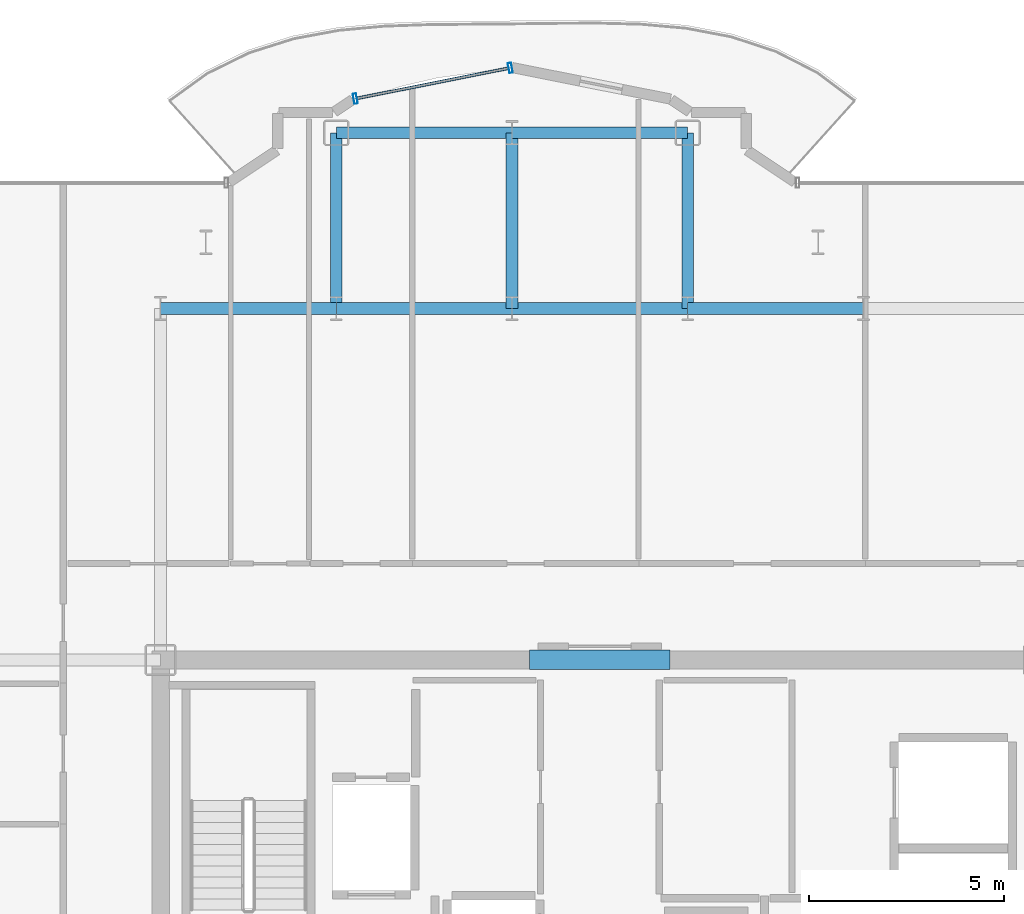
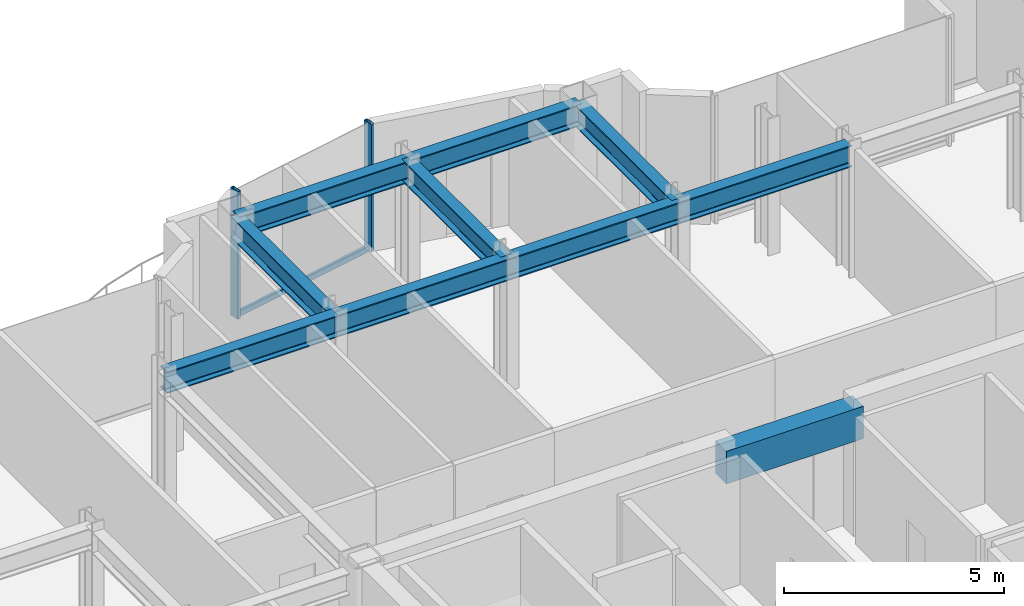
# One storey, part 8 of 16: 10 beams, 3 members, 1 element without a shape of its own.
"""IFC4 building model written with IfcOpenShell, lengths in metres."""

from ifc_helpers import new_model, si_unit, direction, frame, origin, origin_2d, place, context, subcontext, project, spatial, rectangle, hollow_rectangle, i_section, extrude, source, transform, mapped, material, layer, layer_set, material_profile, profile_set, type_object, element, aggregate, save


model = new_model("IFC4")

# Units and contexts
model_context = context("Model", 3, precision=1e-05, world=origin(), true_north=direction((0.0, 1.0)))
body_context = subcontext(model_context, "Body", "Model", "MODEL_VIEW")
ifc_project = project(units=[si_unit("LENGTHUNIT", "METRE"), si_unit("AREAUNIT", "SQUARE_METRE"), si_unit("VOLUMEUNIT", "CUBIC_METRE"), si_unit("PLANEANGLEUNIT", "RADIAN"), si_unit("MASSUNIT", "GRAM", prefix="KILO")], contexts=[model_context])

# Site, building, storey
site_placement = place(None, origin())
site = spatial("IfcSite", under=ifc_project, at=site_placement, CompositionType="ELEMENT")
building_placement = place(site_placement, origin())
building = spatial("IfcBuilding", under=site, at=building_placement, Name="Nefas-Gora Pilgrimage Tower", CompositionType="ELEMENT")
storey_placement = place(building_placement, frame((0.0, 0.0, 276.0)))
storey = spatial("IfcBuildingStorey", under=building, at=storey_placement, Name="L69", CompositionType="ELEMENT", Elevation=276.0)

# Beams
ifc_material_1 = material(Name="Concrete C50/60", Category="concrete")
ifc_material_profile_1 = material_profile(ifc_material_1, rectangle(XDim=0.5, YDim=0.89990234375, at=origin_2d()), Name="RC 500x900")
ifc_profile_set_1 = profile_set([ifc_material_profile_1], Name="Concrete C50/60")
beam_type_1 = type_object("IfcBeamType", Name="BM-LIN-RC900", PredefinedType="LINTEL", material=ifc_profile_set_1)
shared_shape_1 = source(origin(), body_context, "Body", "SweptSolid", [
    extrude(rectangle(XDim=0.5, YDim=0.89990234375, at=origin_2d()), origin(), (0.0, 0.0, 1.0), 3.60009765625),
])
beam_placement = place(storey_placement, frame((-1.800048828125, 9.0, 3.10009765625), z_axis=(1.0, 0.0, 0.0), x_axis=(0.0, 1.0, 0.0)))
element("IfcBeam", 1, at=beam_placement, inside=storey, type_object=beam_type_1, Name="L69 Core Coupling Lintel Beam N", PredefinedType="LINTEL", context=body_context, shape_type="MappedRepresentation", body=[
    mapped(shared_shape_1, transform((0.0, 0.0, 0.0), x_axis=(1.0, 0.0, 0.0), y_axis=(0.0, 1.0, 0.0), z_axis=(0.0, 0.0, 1.0), scale=1.0)),
])
ifc_material_2 = material(Name="Steel S355", Category="steel")
ifc_material_profile_2 = material_profile(ifc_material_2, i_section(OverallWidth=0.300048828125, OverallDepth=0.60009765625, WebThickness=0.015380859375, FlangeThickness=0.030029296875, FilletRadius=0.027099609375, at=origin_2d()), Name="HEB 600")
ifc_profile_set_2 = profile_set([ifc_material_profile_2], Name="Steel S355")
beam_type_2 = type_object("IfcBeamType", Name="BM-GIR-HEB600", PredefinedType="BEAM", material=ifc_profile_set_2)
shared_shape_2 = source(origin(), body_context, "Body", "SweptSolid", [
    extrude(i_section(OverallWidth=0.300048828125, OverallDepth=0.60009765625, WebThickness=0.015380859375, FlangeThickness=0.030029296875, FilletRadius=0.027099609375, at=origin_2d()), origin(), (0.0, 0.0, 1.0), 4.5),
])
for number, where, z_axis, x_axis, name in (
    (2, (-11.25, 18.0, 3.25), (1.0, 0.0, 0.0), (0.0, 1.0, 0.0), "L69 G-04 beam"),
    (3, (-6.75, 18.0, 3.25), (0.0, 1.0, 0.0), (-1.0, 0.0, 0.0), "L69 G-04 beam"),
    (4, (-6.75, 18.0, 3.25), (1.0, 0.0, 0.0), (0.0, 1.0, 0.0), "L69 G-04 beam"),
    (5, (-6.75, 22.5, 3.25), (1.0, 0.0, 0.0), (0.0, 1.0, 0.0), "L69 G-04 beam"),
    (6, (-2.25, 18.0, 3.25), (0.0, 1.0, 0.0), (-1.0, 0.0, 0.0), "L69 G-04 beam"),
    (7, (-2.25, 18.0, 3.25), (1.0, 0.0, 0.0), (0.0, 1.0, 0.0), "L69 G-04 beam"),
    (8, (-2.25, 22.5, 3.25), (1.0, 0.0, 0.0), (0.0, 1.0, 0.0), "L69 G-04 beam"),
    (9, (2.25, 18.0, 3.25), (0.0, 1.0, 0.0), (-1.0, 0.0, 0.0), "L69 G-04 beam"),
    (10, (2.25, 18.0, 3.25), (1.0, 0.0, 0.0), (0.0, 1.0, 0.0), "L69 G-04 beam"),
):
    element("IfcBeam", number, at=place(storey_placement, frame(where, z_axis=z_axis, x_axis=x_axis)), inside=storey, type_object=beam_type_2, Name=name, PredefinedType="BEAM", context=body_context, shape_type="MappedRepresentation", body=[
        mapped(shared_shape_2, transform((0.0, 0.0, 0.0), x_axis=(1.0, 0.0, 0.0), y_axis=(0.0, 1.0, 0.0), z_axis=(0.0, 0.0, 1.0), scale=1.0)),
    ])

# Curtain wall, members
ifc_material_3 = material(Name="Dark ceramic-fritted solar-control aluminium-glass curtain wall", Category="aluminium")
ifc_layer = layer(ifc_material_3, 0.219970703125)
ifc_layer_set = layer_set([ifc_layer], Name="Dark ceramic-fritted solar-control aluminium-glass curtain wall")
curtain_wall_type = type_object("IfcCurtainWallType", Name="CW-SYS-5", PredefinedType="NOTDEFINED", material=ifc_layer_set)
curtain_wall_placement = place(storey_placement, origin())
curtain_wall = element("IfcCurtainWall", 11, at=curtain_wall_placement, inside=storey, type_object=curtain_wall_type, Name="L69 Unitised Curtain Wall CW5", PredefinedType="NOTDEFINED")
ifc_material_4 = material(Name="Anodised architectural aluminium", Category="aluminium")
ifc_material_profile_3 = material_profile(ifc_material_4, hollow_rectangle(XDim=0.090087890625, YDim=0.260009765625, WallThickness=0.006103515625, InnerFilletRadius=0.006103515625, OuterFilletRadius=0.011962890625, at=origin_2d()), Name="ALU MULLION 90x260")
ifc_profile_set_3 = profile_set([ifc_material_profile_3], Name="Anodised architectural aluminium")
member_type_1 = type_object("IfcMemberType", Name="CWM-MUL-5", PredefinedType="MULLION", material=ifc_profile_set_3)
shared_shape_3 = source(origin(), body_context, "Body", "SweptSolid", [
    extrude(hollow_rectangle(XDim=0.090087890625, YDim=0.260009765625, WallThickness=0.006103515625, InnerFilletRadius=0.006103515625, OuterFilletRadius=0.011962890625, at=origin_2d()), origin(), (0.0, 0.0, 1.0), 3.550048828125),
])
member_1_placement = place(storey_placement, frame((-2.294189453125, 24.16357421875, 0.0), z_axis=(0.0, 0.0, 1.0), x_axis=(-0.980782896852, -0.195102304554, 0.0)))
member_1 = element("IfcMember", 12, at=member_1_placement, type_object=member_type_1, Name="CW5 Mullion 1", PredefinedType="MULLION", context=body_context, shape_type="MappedRepresentation", body=[
    mapped(shared_shape_3, transform((0.0, 0.0, 0.0), x_axis=(1.0, 0.0, 0.0), y_axis=(0.0, 1.0, 0.0), z_axis=(0.0, 0.0, 1.0), scale=1.0)),
])
member_2_placement = place(storey_placement, frame((-6.26318359375, 23.3740234375, 0.0), z_axis=(0.0, 0.0, 1.0), x_axis=(-0.980782896852, -0.195102304554, 0.0)))
member_2 = element("IfcMember", 13, at=member_2_placement, type_object=member_type_1, Name="CW5 Mullion 2", PredefinedType="MULLION", context=body_context, shape_type="MappedRepresentation", body=[
    mapped(shared_shape_3, transform((0.0, 0.0, 0.0), x_axis=(1.0, 0.0, 0.0), y_axis=(0.0, 1.0, 0.0), z_axis=(0.0, 0.0, 1.0), scale=1.0)),
])
ifc_material_profile_4 = material_profile(ifc_material_4, hollow_rectangle(XDim=0.080078125, YDim=0.159912109375, WallThickness=0.00439453125, InnerFilletRadius=0.00439453125, OuterFilletRadius=0.009033203125, at=origin_2d()), Name="ALU TRANSOM 80x160")
ifc_profile_set_4 = profile_set([ifc_material_profile_4], Name="Anodised architectural aluminium")
member_type_2 = type_object("IfcMemberType", Name="CWM-TRN-5", PredefinedType="USERDEFINED", material=ifc_profile_set_4)
shared_shape_4 = source(origin(), body_context, "Body", "SweptSolid", [
    extrude(hollow_rectangle(XDim=0.080078125, YDim=0.159912109375, WallThickness=0.00439453125, InnerFilletRadius=0.00439453125, OuterFilletRadius=0.009033203125, at=origin_2d()), origin(), (0.0, 0.0, 1.0), 3.95654296875),
])
member_3_placement = place(storey_placement, frame((-2.33837890625, 24.15478515625, 0.050048828125), z_axis=(-0.980781880918, -0.195107411605, 0.0), x_axis=(0.195107411605, -0.980781880918, 0.0)))
member_3 = element("IfcMember", 14, at=member_3_placement, type_object=member_type_2, Name="CW5 Spandrel Transom", ObjectType="TRANSOM", PredefinedType="USERDEFINED", context=body_context, shape_type="MappedRepresentation", body=[
    mapped(shared_shape_4, transform((0.0, 0.0, 0.0), x_axis=(1.0, 0.0, 0.0), y_axis=(0.0, 1.0, 0.0), z_axis=(0.0, 0.0, 1.0), scale=1.0)),
])
aggregate(curtain_wall, [member_1, member_2, member_3])

save(model, "model.ifc")
